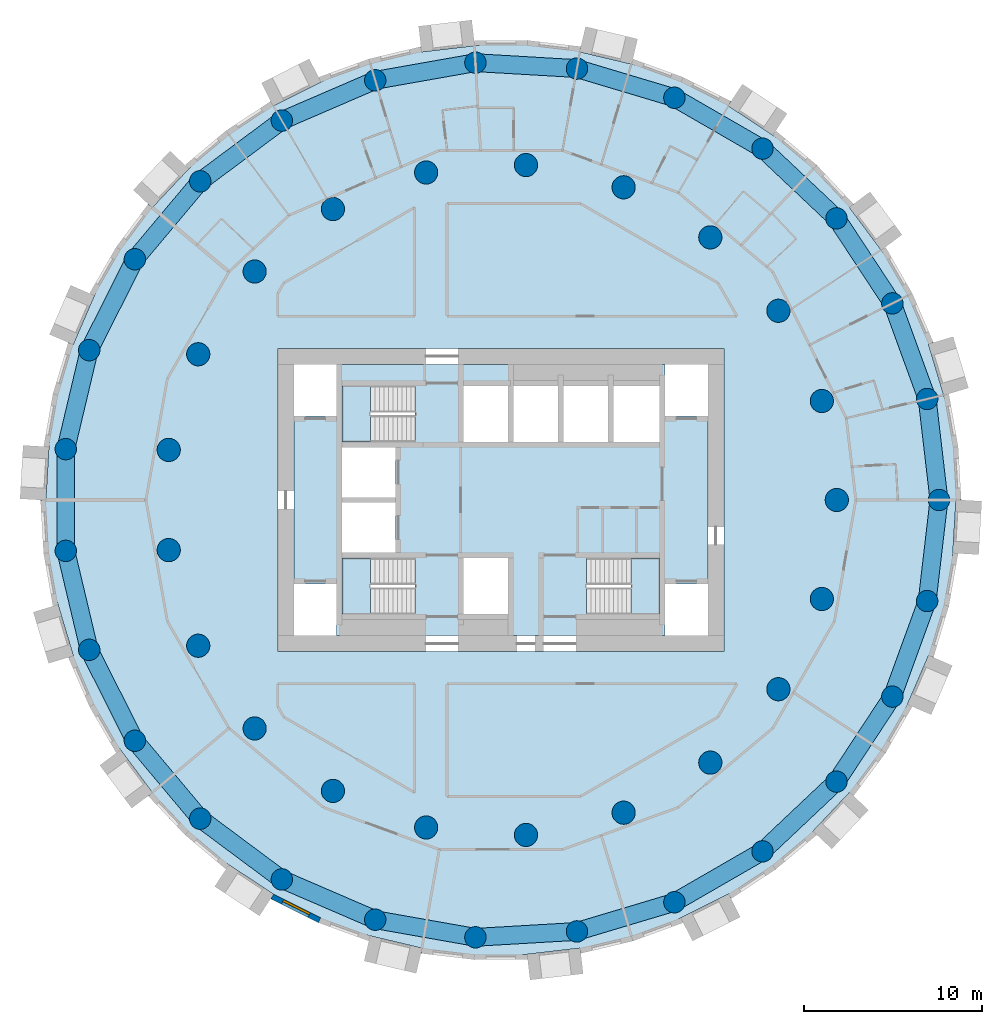
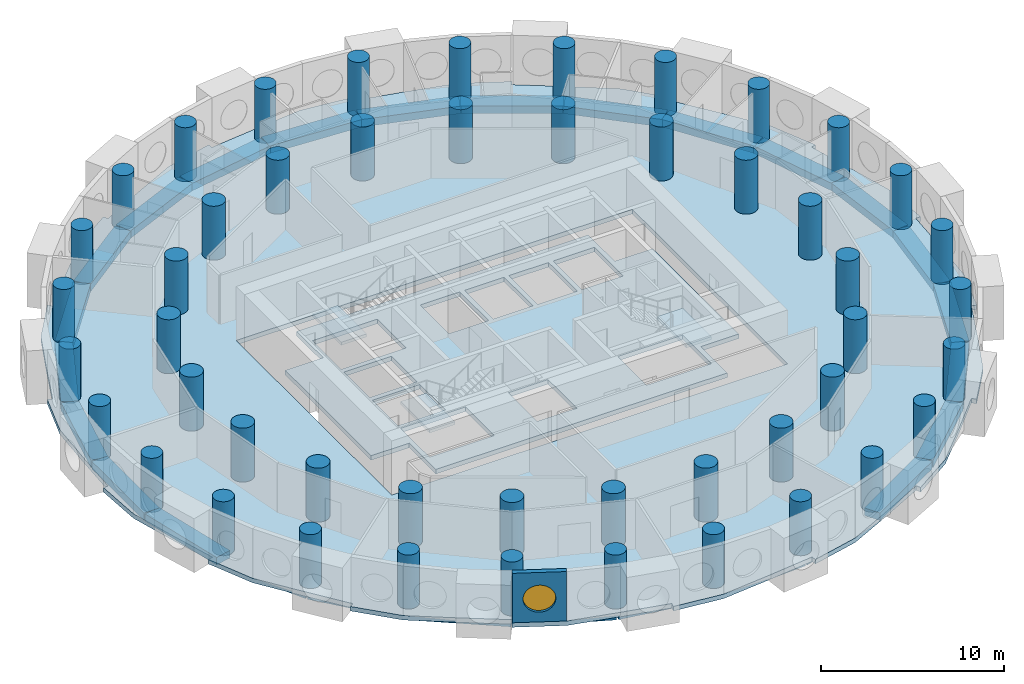
# One storey, part 1 of 10: 48 columns, 27 beams, 5 slabs, 1 wall, 1 window, 1 opening, 3 elements without a shape of their own.
"""IFC4 building model written with IfcOpenShell, lengths in metres."""

import ifcopenshell
import ifcopenshell.guid

model = None  # the IFC model being written
_history = None  # IfcOwnerHistory: only IFC2X3 demands one
_inside = {}  # id of a spatial element -> (the spatial element, [elements in it])
_under = {}  # id of a project, library or spatial element -> (it, [spatial elements below it])
_declared = {}  # id of a project -> (the project, [libraries it declares])
_typed = {}  # id of a type object -> (the type object, [elements of that type])
_made_of = {}  # id of a material, layer set ... -> (it, [elements and type objects made of it])


def new_model(schema):
    """Start an empty IFC model of exactly this schema.

    Asked for "IFC4X3", IfcOpenShell would pick the latest addendum, in which some entities
    have other attributes; the version numbers below select the first issue.
    IFC2X3 requires an IfcOwnerHistory on every rooted entity: one is made here for all.
    """
    global model, _history
    if schema == "IFC4X3":
        model = ifcopenshell.file(schema_version=(4, 3, 0, 0))
    else:
        model = ifcopenshell.file(schema=schema)
    _inside.clear()
    _under.clear()
    _declared.clear()
    _typed.clear()
    _made_of.clear()
    _history = None
    if model.schema == "IFC2X3":
        org = make("IfcOrganization", Name="unknown")
        user = make(
            "IfcPersonAndOrganization",
            ThePerson=make("IfcPerson", FamilyName="unknown"),
            TheOrganization=org,
        )
        app = make(
            "IfcApplication",
            ApplicationDeveloper=org,
            Version="unknown",
            ApplicationFullName="unknown",
            ApplicationIdentifier="unknown",
        )
        _history = make(
            "IfcOwnerHistory",
            OwningUser=user,
            OwningApplication=app,
            ChangeAction="ADDED",
            CreationDate=0,
        )
    return model


def make(cls, **values):
    """One entity of the class cls with the attributes given. An attribute that is None is left unset."""
    return model.create_entity(
        cls, **{name: value for name, value in values.items() if value is not None}
    )


def rooted(cls, **values):
    """An entity with a GlobalId (a new one), such as an element, a storey or a relation."""
    return make(cls, GlobalId=ifcopenshell.guid.new(), OwnerHistory=_history, **values)


def si_unit(unit_type, name, prefix=None):
    """IfcSIUnit, for example si_unit("LENGTHUNIT", "METRE", prefix="MILLI")."""
    return make("IfcSIUnit", UnitType=unit_type, Prefix=prefix, Name=name)


def assignment(units):
    """IfcUnitAssignment: the units of a project."""
    return None if units is None else make("IfcUnitAssignment", Units=units)


def point(xyz):
    """IfcCartesianPoint."""
    return None if xyz is None else make("IfcCartesianPoint", Coordinates=xyz)


def direction(xyz):
    """IfcDirection."""
    return None if xyz is None else make("IfcDirection", DirectionRatios=xyz)


def frame(location, z_axis=None, x_axis=None):
    """IfcAxis2Placement3D, a coordinate frame: its origin and axes. An axis left out is left unset."""
    return make(
        "IfcAxis2Placement3D",
        Location=point(location),
        Axis=direction(z_axis),
        RefDirection=direction(x_axis),
    )


def frame_2d(location, x_axis=None):
    """IfcAxis2Placement2D, a coordinate frame in the plane: its origin and x axis."""
    return make(
        "IfcAxis2Placement2D", Location=point(location), RefDirection=direction(x_axis)
    )


def origin():
    """The frame at (0, 0, 0) with its axes left unset."""
    return frame((0.0, 0.0, 0.0))


def origin_2d():
    """The frame at (0, 0) in the plane with its x axis left unset."""
    return frame_2d((0.0, 0.0))


def place(relative_to, where):
    """IfcLocalPlacement: puts the frame where relative to a parent placement (None: the world)."""
    return make(
        "IfcLocalPlacement", PlacementRelTo=relative_to, RelativePlacement=where
    )


def context(
    kind, dimensions, precision=None, world=None, true_north=None, identifier=None
):
    """IfcGeometricRepresentationContext, for example the 3D "Model" context."""
    return make(
        "IfcGeometricRepresentationContext",
        ContextIdentifier=identifier,
        ContextType=kind,
        CoordinateSpaceDimension=dimensions,
        Precision=precision,
        WorldCoordinateSystem=world,
        TrueNorth=true_north,
    )


def subcontext(parent, identifier, kind, view, scale=None):
    """IfcGeometricRepresentationSubContext, for example "Body" below "Model"."""
    return make(
        "IfcGeometricRepresentationSubContext",
        ContextIdentifier=identifier,
        ContextType=kind,
        ParentContext=parent,
        TargetScale=scale,
        TargetView=view,
    )


def project(units=None, contexts=None):
    """IfcProject with its units and contexts."""
    return rooted(
        "IfcProject",
        Name="project",
        RepresentationContexts=contexts,
        UnitsInContext=assignment(units),
    )


def spatial(cls, under=None, at=None, **own):
    """A site, building, storey or space (cls), placed at a placement, below another one or the project."""
    s = rooted(cls, ObjectPlacement=at, **own)
    if under is not None:
        _under.setdefault(under.id(), (under, []))[1].append(s)
    return s


def polyline(points):
    """IfcPolyline through the points."""
    return make("IfcPolyline", Points=[point(p) for p in points])


def profile(cls, at=None, kind="AREA", **sizes):
    """A parametric profile (cls). Its sizes go by their IFC names, for example OverallWidth=200.0."""
    return make(cls, ProfileType=kind, Position=at, **sizes)


def rectangle(**sizes):
    """IfcRectangleProfileDef."""
    return profile("IfcRectangleProfileDef", **sizes)


def circle(**sizes):
    """IfcCircleProfileDef."""
    return profile("IfcCircleProfileDef", **sizes)


def outline(outer, holes=None, kind="AREA"):
    """IfcArbitraryClosedProfileDef: a profile drawn as a closed curve; with holes, ...WithVoids."""
    if holes is None:
        return make("IfcArbitraryClosedProfileDef", ProfileType=kind, OuterCurve=outer)
    return make(
        "IfcArbitraryProfileDefWithVoids",
        ProfileType=kind,
        OuterCurve=outer,
        InnerCurves=holes,
    )


def extrude(swept, where, along, depth):
    """IfcExtrudedAreaSolid: the profile swept, set in the frame where, extruded along a direction by depth."""
    return make(
        "IfcExtrudedAreaSolid",
        SweptArea=swept,
        Position=where,
        ExtrudedDirection=direction(along),
        Depth=depth,
    )


def shape(context_of_items, identifier, shape_type, items):
    """IfcShapeRepresentation: the items that make up one representation, for example the "Body"."""
    return make(
        "IfcShapeRepresentation",
        ContextOfItems=context_of_items,
        RepresentationIdentifier=identifier,
        RepresentationType=shape_type,
        Items=items,
    )


def material(Name=None, Category=None):
    """IfcMaterial."""
    return make("IfcMaterial", Name=Name, Category=Category)


def layer(
    of_material, thickness, ventilated=None, Name=None, Category=None, Priority=None
):
    """IfcMaterialLayer: one layer of a wall or slab, of a material (None: an air gap)."""
    return make(
        "IfcMaterialLayer",
        Material=of_material,
        LayerThickness=thickness,
        IsVentilated=ventilated,
        Name=Name,
        Category=Category,
        Priority=Priority,
    )


def layer_set(layers, Name=None):
    """IfcMaterialLayerSet."""
    return make("IfcMaterialLayerSet", MaterialLayers=layers, LayerSetName=Name)


def material_profile(
    of_material, cross_section, Name=None, Category=None, Priority=None
):
    """IfcMaterialProfile: a cross section and its material."""
    return make(
        "IfcMaterialProfile",
        Name=Name,
        Material=of_material,
        Profile=cross_section,
        Priority=Priority,
        Category=Category,
    )


def profile_set(profiles, Name=None, composite=None):
    """IfcMaterialProfileSet."""
    return make(
        "IfcMaterialProfileSet",
        Name=Name,
        MaterialProfiles=profiles,
        CompositeProfile=composite,
    )


def made_of(thing, what):
    """Note that an element or type object is made of a material, layer set ...; save() writes the relation."""
    if what is not None:
        _made_of.setdefault(what.id(), (what, []))[1].append(thing)
    return thing


def type_object(cls, material=None, **own):
    """A type object (cls), such as IfcWallType, which elements share."""
    return made_of(rooted(cls, **own), material)


def element(
    cls,
    number,
    at=None,
    inside=None,
    cuts=None,
    type_object=None,
    material=None,
    context=None,
    identifier="Body",
    shape_type=None,
    held_by="IfcProductDefinitionShape",
    body=None,
    shapes=None,
    **own,
):
    """One element of the class cls, such as IfcWall. Its Tag is "e" and its number.

    at: its placement. inside: the storey or other place that contains it. cuts: it is an
    opening in that element (IfcRelVoidsElement). A single representation is given by context,
    identifier, shape_type and body (its items); several are given by shapes. held_by: the class
    of the entity that holds the representations. save() writes the other relations.
    """
    e = rooted(cls, Tag="e%d" % number, ObjectPlacement=at, **own)
    if body is not None:
        shapes = [shape(context, identifier, shape_type, body)]
    if shapes is not None:
        e.Representation = make(held_by, Representations=shapes)
    if inside is not None:
        _inside.setdefault(inside.id(), (inside, []))[1].append(e)
    if cuts is not None:
        rooted(
            "IfcRelVoidsElement", RelatingBuildingElement=cuts, RelatedOpeningElement=e
        )
    if type_object is not None:
        _typed.setdefault(type_object.id(), (type_object, []))[1].append(e)
    return made_of(e, material)


def fill(opening, filler):
    """IfcRelFillsElement: the door or window that sits in an opening."""
    return rooted(
        "IfcRelFillsElement",
        RelatingOpeningElement=opening,
        RelatedBuildingElement=filler,
    )


def aggregate(whole, parts):
    """IfcRelAggregates: a whole, such as a stair, and the parts it consists of."""
    return rooted("IfcRelAggregates", RelatingObject=whole, RelatedObjects=parts)


def save(model, path):
    """Write the relations noted so far, then the file.

    IfcRelAggregates (storeys below a building ...), IfcRelContainedInSpatialStructure (elements
    in a storey), IfcRelDefinesByType, IfcRelAssociatesMaterial and IfcRelDeclares: one each for
    every whole, place, type object, material and project.
    """
    for whole, parts in _under.values():
        aggregate(whole, parts)
    for where, things in _inside.values():
        rooted(
            "IfcRelContainedInSpatialStructure",
            RelatedElements=things,
            RelatingStructure=where,
        )
    for kind, things in _typed.values():
        rooted("IfcRelDefinesByType", RelatedObjects=things, RelatingType=kind)
    for what, things in _made_of.values():
        rooted("IfcRelAssociatesMaterial", RelatedObjects=things, RelatingMaterial=what)
    for by, libraries in _declared.values():
        rooted("IfcRelDeclares", RelatingContext=by, RelatedDefinitions=libraries)
    model.write(path)


model = new_model("IFC4")

# Units and contexts
model_context = context("Model", 3, precision=1e-05, world=origin(), true_north=direction((0.0, 1.0)))
body_context = subcontext(model_context, "Body", "Model", "MODEL_VIEW")
ifc_project = project(units=[si_unit("LENGTHUNIT", "METRE"), si_unit("AREAUNIT", "SQUARE_METRE"), si_unit("VOLUMEUNIT", "CUBIC_METRE"), si_unit("PLANEANGLEUNIT", "RADIAN"), si_unit("MASSUNIT", "GRAM", prefix="KILO")], contexts=[model_context])

# Site, building, storey
site_placement = place(None, origin())
site = spatial("IfcSite", under=ifc_project, at=site_placement, CompositionType="ELEMENT")
building_placement = place(site_placement, origin())
building = spatial("IfcBuilding", under=site, at=building_placement, Name="Tracery Tower", CompositionType="ELEMENT")
storey_placement = place(building_placement, frame((0.0, 0.0, 129.60009765625)))
storey = spatial("IfcBuildingStorey", under=building, at=storey_placement, Name="L32", CompositionType="ELEMENT", Elevation=129.60009765625)

# Columns
ifc_material_1 = material(Name="Concrete C50/60", Category="concrete")
ifc_material_profile_1 = material_profile(ifc_material_1, circle(Radius=0.60009765625, at=origin_2d()), Name="RC D1200")
ifc_profile_set_1 = profile_set([ifc_material_profile_1], Name="Concrete C50/60")
column_type_1 = type_object("IfcColumnType", Name="Ring 1 column 1200", PredefinedType="COLUMN", material=ifc_profile_set_1)
for number, where, z_axis, x_axis, name in (
    (1, (24.547607421875, 0.0, 0.0), (0.0, 0.0, 1.0), (1.0, 0.0, 0.0), "Ring 1 column 00 at L32"),
    (2, (23.885986328125, 5.6611328125, 0.0), (0.0, 0.0, 1.0), (1.0, 0.0, 0.0), "Ring 1 column 01 at L32"),
    (3, (21.9365234375, 11.01708984375, 0.0), (0.0, 0.0, 1.0), (1.0, 0.0, 0.0), "Ring 1 column 02 at L32"),
    (4, (18.8046875, 15.779052734375, 0.0), (0.0, 0.0, 1.0), (1.0, 0.0, 0.0), "Ring 1 column 03 at L32"),
    (5, (14.658935546875, 19.690185546875, 0.0), (0.0, 0.0, 1.0), (1.0, 0.0, 0.0), "Ring 1 column 04 at L32"),
    (6, (9.722900390625, 22.5400390625, 0.0), (0.0, 0.0, 1.0), (1.0, 0.0, 0.0), "Ring 1 column 05 at L32"),
    (7, (4.2626953125, 24.1748046875, 0.0), (0.0, 0.0, 1.0), (1.0, 0.0, 0.0), "Ring 1 column 06 at L32"),
    (8, (-1.42724609375, 24.506103515625, 0.0), (0.0, 0.0, 1.0), (1.0, 0.0, 0.0), "Ring 1 column 07 at L32"),
    (9, (-7.040283203125, 23.516357421875, 0.0), (0.0, 0.0, 1.0), (1.0, 0.0, 0.0), "Ring 1 column 08 at L32"),
    (10, (-12.273681640625, 21.2587890625, 0.0), (0.0, 0.0, 1.0), (1.0, 0.0, 0.0), "Ring 1 column 09 at L32"),
    (11, (-16.845703125, 17.855224609375, 0.0), (0.0, 0.0, 1.0), (1.0, 0.0, 0.0), "Ring 1 column 10 at L32"),
    (12, (-20.50927734375, 13.4892578125, 0.0), (0.0, 0.0, 1.0), (1.0, 0.0, 0.0), "Ring 1 column 11 at L32"),
    (13, (-23.0673828125, 8.395751953125, 0.0), (0.0, 0.0, 1.0), (1.0, 0.0, 0.0), "Ring 1 column 12 at L32"),
    (14, (-24.381591796875, 2.849853515625, 0.0), (0.0, 0.0, 1.0), (1.0, 0.0, 0.0), "Ring 1 column 13 at L32"),
    (15, (-24.381591796875, -2.849853515625, 0.0), (0.0, 0.0, 1.0), (1.0, 0.0, 0.0), "Ring 1 column 14 at L32"),
    (16, (-23.0673828125, -8.395751953125, 0.0), (0.0, 0.0, 1.0), (1.0, 0.0, 0.0), "Ring 1 column 15 at L32"),
    (17, (-20.50927734375, -13.4892578125, 0.0), (0.0, 0.0, 1.0), (1.0, 0.0, 0.0), "Ring 1 column 16 at L32"),
    (18, (-16.845703125, -17.85546875, 0.0), (0.0, 0.0, 1.0), (1.0, 0.0, 0.0), "Ring 1 column 17 at L32"),
    (19, (-12.27392578125, -21.2587890625, 0.0), (0.0, 0.0, 1.0), (1.0, 0.0, 0.0), "Ring 1 column 18 at L32"),
    (20, (-7.040283203125, -23.516357421875, 0.0), (0.0, 0.0, 1.0), (1.0, 0.0, 0.0), "Ring 1 column 19 at L32"),
    (21, (-1.42724609375, -24.506103515625, 0.0), (0.0, 0.0, 1.0), (1.0, 0.0, 0.0), "Ring 1 column 20 at L32"),
    (22, (4.2626953125, -24.1748046875, 0.0), (0.0, 0.0, 1.0), (1.0, 0.0, 0.0), "Ring 1 column 21 at L32"),
    (23, (9.722900390625, -22.5400390625, 0.0), (0.0, 0.0, 1.0), (1.0, 0.0, 0.0), "Ring 1 column 22 at L32"),
    (24, (14.658935546875, -19.690185546875, 0.0), (0.0, 0.0, 1.0), (1.0, 0.0, 0.0), "Ring 1 column 23 at L32"),
    (25, (18.8046875, -15.779052734375, 0.0), (0.0, 0.0, 1.0), (1.0, 0.0, 0.0), "Ring 1 column 24 at L32"),
    (26, (21.9365234375, -11.01708984375, 0.0), (0.0, 0.0, 1.0), (1.0, 0.0, 0.0), "Ring 1 column 25 at L32"),
    (27, (23.885986328125, -5.6611328125, 0.0), (0.0, 0.0, 1.0), (1.0, 0.0, 0.0), "Ring 1 column 26 at L32"),
):
    element("IfcColumn", number, at=place(storey_placement, frame(where, z_axis=z_axis, x_axis=x_axis)), inside=storey, type_object=column_type_1, Name=name, PredefinedType="COLUMN", context=body_context, shape_type="SweptSolid", body=[
        extrude(circle(Radius=0.60009765625, at=origin_2d()), origin(), (0.0, 0.0, 1.0), 3.599853515625),
    ])
ifc_material_2 = material(Name="Concrete C50/60", Category="concrete")
ifc_material_profile_2 = material_profile(ifc_material_2, circle(Radius=0.64990234375, at=origin_2d()), Name="RC D1300")
ifc_profile_set_2 = profile_set([ifc_material_profile_2], Name="Concrete C50/60")
column_type_2 = type_object("IfcColumnType", Name="Ring 2 column 1300", PredefinedType="COLUMN", material=ifc_profile_set_2)
for number, where, z_axis, x_axis, name in (
    (28, (18.822265625, 0.0, 0.0), (0.0, 0.0, 1.0), (1.0, 0.0, 0.0), "Ring 2 column 00 at L32"),
    (29, (17.986083984375, 5.5478515625, 0.0), (0.0, 0.0, 1.0), (1.0, 0.0, 0.0), "Ring 2 column 01 at L32"),
    (30, (15.551513671875, 10.602783203125, 0.0), (0.0, 0.0, 1.0), (1.0, 0.0, 0.0), "Ring 2 column 02 at L32"),
    (31, (11.7353515625, 14.7158203125, 0.0), (0.0, 0.0, 1.0), (1.0, 0.0, 0.0), "Ring 2 column 03 at L32"),
    (32, (6.87646484375, 17.52099609375, 0.0), (0.0, 0.0, 1.0), (1.0, 0.0, 0.0), "Ring 2 column 04 at L32"),
    (33, (1.406494140625, 18.76953125, 0.0), (0.0, 0.0, 1.0), (1.0, 0.0, 0.0), "Ring 2 column 05 at L32"),
    (34, (-4.188232421875, 18.350341796875, 0.0), (0.0, 0.0, 1.0), (1.0, 0.0, 0.0), "Ring 2 column 06 at L32"),
    (35, (-9.4111328125, 16.300537109375, 0.0), (0.0, 0.0, 1.0), (1.0, 0.0, 0.0), "Ring 2 column 07 at L32"),
    (36, (-13.797607421875, 12.802490234375, 0.0), (0.0, 0.0, 1.0), (1.0, 0.0, 0.0), "Ring 2 column 08 at L32"),
    (37, (-16.958251953125, 8.16650390625, 0.0), (0.0, 0.0, 1.0), (1.0, 0.0, 0.0), "Ring 2 column 09 at L32"),
    (38, (-18.612060546875, 2.805419921875, 0.0), (0.0, 0.0, 1.0), (1.0, 0.0, 0.0), "Ring 2 column 10 at L32"),
    (39, (-18.612060546875, -2.805419921875, 0.0), (0.0, 0.0, 1.0), (1.0, 0.0, 0.0), "Ring 2 column 11 at L32"),
    (40, (-16.958251953125, -8.166748046875, 0.0), (0.0, 0.0, 1.0), (1.0, 0.0, 0.0), "Ring 2 column 12 at L32"),
    (41, (-13.797607421875, -12.80224609375, 0.0), (0.0, 0.0, 1.0), (1.0, 0.0, 0.0), "Ring 2 column 13 at L32"),
    (42, (-9.4111328125, -16.300537109375, 0.0), (0.0, 0.0, 1.0), (1.0, 0.0, 0.0), "Ring 2 column 14 at L32"),
    (43, (-4.188232421875, -18.350341796875, 0.0), (0.0, 0.0, 1.0), (1.0, 0.0, 0.0), "Ring 2 column 15 at L32"),
    (44, (1.406494140625, -18.76953125, 0.0), (0.0, 0.0, 1.0), (1.0, 0.0, 0.0), "Ring 2 column 16 at L32"),
    (45, (6.87646484375, -17.52099609375, 0.0), (0.0, 0.0, 1.0), (1.0, 0.0, 0.0), "Ring 2 column 17 at L32"),
    (46, (11.7353515625, -14.7158203125, 0.0), (0.0, 0.0, 1.0), (1.0, 0.0, 0.0), "Ring 2 column 18 at L32"),
    (47, (15.551513671875, -10.602783203125, 0.0), (0.0, 0.0, 1.0), (1.0, 0.0, 0.0), "Ring 2 column 19 at L32"),
    (48, (17.986083984375, -5.5478515625, 0.0), (0.0, 0.0, 1.0), (1.0, 0.0, 0.0), "Ring 2 column 20 at L32"),
):
    element("IfcColumn", number, at=place(storey_placement, frame(where, z_axis=z_axis, x_axis=x_axis)), inside=storey, type_object=column_type_2, Name=name, PredefinedType="COLUMN", context=body_context, shape_type="SweptSolid", body=[
        extrude(circle(Radius=0.64990234375, at=origin_2d()), origin(), (0.0, 0.0, 1.0), 3.599853515625),
    ])

# Beams
ifc_material_3 = material(Name="Concrete C50/60", Category="concrete")
ifc_material_profile_3 = material_profile(ifc_material_3, rectangle(XDim=1.0, YDim=0.5, at=origin_2d()), Name="RC 1000x500")
ifc_profile_set_3 = profile_set([ifc_material_profile_3], Name="Concrete C50/60")
beam_type = type_object("IfcBeamType", Name="Perimeter band beam 1000x500", PredefinedType="BEAM", material=ifc_profile_set_3)
for number, where, z_axis, x_axis, name in (
    (49, (24.547607421875, 0.0, -0.550048828125), (-0.116080723252, 0.993239782575, 0.0), (-0.993239782575, -0.116080723252, 0.0), "Perimeter beam 1.00 under L32"),
    (50, (23.885986328125, 5.6611328125, -0.550048828125), (-0.342028502279, 0.939689578334, 0.0), (-0.939689578334, -0.342028502279, 0.0), "Perimeter beam 1.01 under L32"),
):
    element("IfcBeam", number, at=place(storey_placement, frame(where, z_axis=z_axis, x_axis=x_axis)), inside=storey, type_object=beam_type, Name=name, PredefinedType="BEAM", context=body_context, shape_type="SweptSolid", body=[
        extrude(rectangle(XDim=1.0, YDim=0.5, at=origin_2d()), origin(), (0.0, 0.0, 1.0), 5.69970703125),
    ])
for number, where, z_axis, x_axis, name in (
    (51, (21.9365234375, 11.01708984375, -0.550048828125), (-0.549489832182, 0.835500403548, 0.0), (-0.835500403548, -0.549489832182, 0.0), "Perimeter beam 1.02 under L32"),
    (52, (18.8046875, 15.779052734375, -0.550048828125), (-0.727389618263, 0.686224703172, 0.0), (-0.686224703172, -0.727389618263, 0.0), "Perimeter beam 1.03 under L32"),
):
    element("IfcBeam", number, at=place(storey_placement, frame(where, z_axis=z_axis, x_axis=x_axis)), inside=storey, type_object=beam_type, Name=name, PredefinedType="BEAM", context=body_context, shape_type="SweptSolid", body=[
        extrude(rectangle(XDim=1.0, YDim=0.5, at=origin_2d()), origin(), (0.0, 0.0, 1.0), 5.699462890625),
    ])
for number, where, z_axis, x_axis, name in (
    (53, (14.658935546875, 19.690185546875, -0.550048828125), (-0.866022950691, 0.500004248858, 0.0), (-0.500004248858, -0.866022950691, 0.0), "Perimeter beam 1.04 under L32"),
    (54, (9.722900390625, 22.5400390625, -0.550048828125), (-0.957985292634, 0.28681732705, 0.0), (-0.28681732705, -0.957985292634, 0.0), "Perimeter beam 1.05 under L32"),
):
    element("IfcBeam", number, at=place(storey_placement, frame(where, z_axis=z_axis, x_axis=x_axis)), inside=storey, type_object=beam_type, Name=name, PredefinedType="BEAM", context=body_context, shape_type="SweptSolid", body=[
        extrude(rectangle(XDim=1.0, YDim=0.5, at=origin_2d()), origin(), (0.0, 0.0, 1.0), 5.69970703125),
    ])
beam_1_placement = place(storey_placement, frame((4.2626953125, 24.1748046875, -0.550048828125), z_axis=(-0.99830920221, 0.058126902403, 0.0), x_axis=(-0.058126902403, -0.99830920221, 0.0)))
element("IfcBeam", 55, at=beam_1_placement, inside=storey, type_object=beam_type, Name="Perimeter beam 1.06 under L32", PredefinedType="BEAM", context=body_context, shape_type="SweptSolid", body=[
    extrude(rectangle(XDim=1.0, YDim=0.5, at=origin_2d()), origin(), (0.0, 0.0, 1.0), 5.699462890625),
])
beam_2_placement = place(storey_placement, frame((-1.42724609375, 24.506103515625, -0.550048828125), z_axis=(-0.984807266719, -0.173650935552, 0.0), x_axis=(0.173650935552, -0.984807266719, 0.0)))
element("IfcBeam", 56, at=beam_2_placement, inside=storey, type_object=beam_type, Name="Perimeter beam 1.07 under L32", PredefinedType="BEAM", context=body_context, shape_type="SweptSolid", body=[
    extrude(rectangle(XDim=1.0, YDim=0.5, at=origin_2d()), origin(), (0.0, 0.0, 1.0), 5.69970703125),
])
beam_3_placement = place(storey_placement, frame((-7.040283203125, 23.516357421875, -0.550048828125), z_axis=(-0.918209685525, -0.396094652083, 0.0), x_axis=(0.396094652083, -0.918209685525, 0.0)))
element("IfcBeam", 57, at=beam_3_placement, inside=storey, type_object=beam_type, Name="Perimeter beam 1.08 under L32", PredefinedType="BEAM", context=body_context, shape_type="SweptSolid", body=[
    extrude(rectangle(XDim=1.0, YDim=0.5, at=origin_2d()), origin(), (0.0, 0.0, 1.0), 5.699462890625),
])
beam_4_placement = place(storey_placement, frame((-12.273681640625, 21.2587890625, -0.550048828125), z_axis=(-0.802138271299, -0.59713833717, 0.0), x_axis=(0.59713833717, -0.802138271299, 0.0)))
element("IfcBeam", 58, at=beam_4_placement, inside=storey, type_object=beam_type, Name="Perimeter beam 1.09 under L32", PredefinedType="BEAM", context=body_context, shape_type="SweptSolid", body=[
    extrude(rectangle(XDim=1.0, YDim=0.5, at=origin_2d()), origin(), (0.0, 0.0, 1.0), 5.69970703125),
])
beam_5_placement = place(storey_placement, frame((-16.845703125, 17.855224609375, -0.550048828125), z_axis=(-0.642797194343, -0.766036400535, 0.0), x_axis=(0.766036400535, -0.642797194343, 0.0)))
element("IfcBeam", 59, at=beam_5_placement, inside=storey, type_object=beam_type, Name="Perimeter beam 1.10 under L32", PredefinedType="BEAM", context=body_context, shape_type="SweptSolid", body=[
    extrude(rectangle(XDim=1.0, YDim=0.5, at=origin_2d()), origin(), (0.0, 0.0, 1.0), 5.699462890625),
])
beam_6_placement = place(storey_placement, frame((-20.50927734375, 13.4892578125, -0.550048828125), z_axis=(-0.448806280933, -0.893629074166, 0.0), x_axis=(0.893629074166, -0.448806280933, 0.0)))
element("IfcBeam", 60, at=beam_6_placement, inside=storey, type_object=beam_type, Name="Perimeter beam 1.11 under L32", PredefinedType="BEAM", context=body_context, shape_type="SweptSolid", body=[
    extrude(rectangle(XDim=1.0, YDim=0.5, at=origin_2d()), origin(), (0.0, 0.0, 1.0), 5.69970703125),
])
beam_7_placement = place(storey_placement, frame((-23.0673828125, 8.395751953125, -0.550048828125), z_axis=(-0.230583793756, -0.973052472407, 0.0), x_axis=(0.973052472407, -0.230583793756, 0.0)))
element("IfcBeam", 61, at=beam_7_placement, inside=storey, type_object=beam_type, Name="Perimeter beam 1.12 under L32", PredefinedType="BEAM", context=body_context, shape_type="SweptSolid", body=[
    extrude(rectangle(XDim=1.0, YDim=0.5, at=origin_2d()), origin(), (0.0, 0.0, 1.0), 5.699462890625),
])
beam_8_placement = place(storey_placement, frame((-24.381591796875, 2.849853515625, -0.550048828125), z_axis=(0.0, -1.0, 0.0), x_axis=(1.0, 0.0, 0.0)))
element("IfcBeam", 62, at=beam_8_placement, inside=storey, type_object=beam_type, Name="Perimeter beam 1.13 under L32", PredefinedType="BEAM", context=body_context, shape_type="SweptSolid", body=[
    extrude(rectangle(XDim=1.0, YDim=0.5, at=origin_2d()), origin(), (0.0, 0.0, 1.0), 5.69970703125),
])
beam_9_placement = place(storey_placement, frame((-24.381591796875, -2.849853515625, -0.550048828125), z_axis=(0.230583793756, -0.973052472407, 0.0), x_axis=(0.973052472407, 0.230583793756, 0.0)))
element("IfcBeam", 63, at=beam_9_placement, inside=storey, type_object=beam_type, Name="Perimeter beam 1.14 under L32", PredefinedType="BEAM", context=body_context, shape_type="SweptSolid", body=[
    extrude(rectangle(XDim=1.0, YDim=0.5, at=origin_2d()), origin(), (0.0, 0.0, 1.0), 5.699462890625),
])
for number, where, z_axis, x_axis, name in (
    (64, (-23.0673828125, -8.395751953125, -0.550048828125), (0.448806280933, -0.893629074166, 0.0), (0.893629074166, 0.448806280933, 0.0), "Perimeter beam 1.15 under L32"),
    (65, (-20.50927734375, -13.4892578125, -0.550048828125), (0.64277610208, -0.766054099, 0.0), (0.766054099, 0.64277610208, 0.0), "Perimeter beam 1.16 under L32"),
):
    element("IfcBeam", number, at=place(storey_placement, frame(where, z_axis=z_axis, x_axis=x_axis)), inside=storey, type_object=beam_type, Name=name, PredefinedType="BEAM", context=body_context, shape_type="SweptSolid", body=[
        extrude(rectangle(XDim=1.0, YDim=0.5, at=origin_2d()), origin(), (0.0, 0.0, 1.0), 5.69970703125),
    ])
beam_10_placement = place(storey_placement, frame((-16.845703125, -17.85546875, -0.550048828125), z_axis=(0.802143514942, -0.597131293298, 0.0), x_axis=(0.597131293298, 0.802143514942, 0.0)))
element("IfcBeam", 66, at=beam_10_placement, inside=storey, type_object=beam_type, Name="Perimeter beam 1.17 under L32", PredefinedType="BEAM", context=body_context, shape_type="SweptSolid", body=[
    extrude(rectangle(XDim=1.0, YDim=0.5, at=origin_2d()), origin(), (0.0, 0.0, 1.0), 5.699462890625),
])
for number, where, z_axis, x_axis, name in (
    (67, (-12.27392578125, -21.2587890625, -0.550048828125), (0.918216405543, -0.39607907366, 0.0), (0.39607907366, 0.918216405543, 0.0), "Perimeter beam 1.18 under L32"),
    (68, (-7.040283203125, -23.516357421875, -0.550048828125), (0.984807266719, -0.173650935552, 0.0), (0.173650935552, 0.984807266719, 0.0), "Perimeter beam 1.19 under L32"),
):
    element("IfcBeam", number, at=place(storey_placement, frame(where, z_axis=z_axis, x_axis=x_axis)), inside=storey, type_object=beam_type, Name=name, PredefinedType="BEAM", context=body_context, shape_type="SweptSolid", body=[
        extrude(rectangle(XDim=1.0, YDim=0.5, at=origin_2d()), origin(), (0.0, 0.0, 1.0), 5.69970703125),
    ])
beam_11_placement = place(storey_placement, frame((-1.42724609375, -24.506103515625, -0.550048828125), z_axis=(0.99830920221, 0.058126902403, 0.0), x_axis=(-0.058126902403, 0.99830920221, 0.0)))
element("IfcBeam", 69, at=beam_11_placement, inside=storey, type_object=beam_type, Name="Perimeter beam 1.20 under L32", PredefinedType="BEAM", context=body_context, shape_type="SweptSolid", body=[
    extrude(rectangle(XDim=1.0, YDim=0.5, at=origin_2d()), origin(), (0.0, 0.0, 1.0), 5.699462890625),
])
for number, where, z_axis, x_axis, name in (
    (70, (4.2626953125, -24.1748046875, -0.550048828125), (0.957985292634, 0.28681732705, 0.0), (-0.28681732705, 0.957985292634, 0.0), "Perimeter beam 1.21 under L32"),
    (71, (9.722900390625, -22.5400390625, -0.550048828125), (0.866022950691, 0.500004248858, 0.0), (-0.500004248858, 0.866022950691, 0.0), "Perimeter beam 1.22 under L32"),
):
    element("IfcBeam", number, at=place(storey_placement, frame(where, z_axis=z_axis, x_axis=x_axis)), inside=storey, type_object=beam_type, Name=name, PredefinedType="BEAM", context=body_context, shape_type="SweptSolid", body=[
        extrude(rectangle(XDim=1.0, YDim=0.5, at=origin_2d()), origin(), (0.0, 0.0, 1.0), 5.69970703125),
    ])
for number, where, z_axis, x_axis, name in (
    (72, (14.658935546875, -19.690185546875, -0.550048828125), (0.727389618263, 0.686224703172, 0.0), (-0.686224703172, 0.727389618263, 0.0), "Perimeter beam 1.23 under L32"),
    (73, (18.8046875, -15.779052734375, -0.550048828125), (0.549489832182, 0.835500403548, 0.0), (-0.835500403548, 0.549489832182, 0.0), "Perimeter beam 1.24 under L32"),
):
    element("IfcBeam", number, at=place(storey_placement, frame(where, z_axis=z_axis, x_axis=x_axis)), inside=storey, type_object=beam_type, Name=name, PredefinedType="BEAM", context=body_context, shape_type="SweptSolid", body=[
        extrude(rectangle(XDim=1.0, YDim=0.5, at=origin_2d()), origin(), (0.0, 0.0, 1.0), 5.699462890625),
    ])
for number, where, z_axis, x_axis, name in (
    (74, (21.9365234375, -11.01708984375, -0.550048828125), (0.342028502279, 0.939689578334, 0.0), (-0.939689578334, 0.342028502279, 0.0), "Perimeter beam 1.25 under L32"),
    (75, (23.885986328125, -5.6611328125, -0.550048828125), (0.116080723252, 0.993239782575, 0.0), (-0.993239782575, 0.116080723252, 0.0), "Perimeter beam 1.26 under L32"),
):
    element("IfcBeam", number, at=place(storey_placement, frame(where, z_axis=z_axis, x_axis=x_axis)), inside=storey, type_object=beam_type, Name=name, PredefinedType="BEAM", context=body_context, shape_type="SweptSolid", body=[
        extrude(rectangle(XDim=1.0, YDim=0.5, at=origin_2d()), origin(), (0.0, 0.0, 1.0), 5.69970703125),
    ])

# Slabs
ifc_material_4 = material(Name="Concrete C50/60", Category="concrete")
ifc_layer_1 = layer(ifc_material_4, 0.300048828125)
ifc_layer_set_1 = layer_set([ifc_layer_1], Name="Core floor slab 300 C50")
slab_type_1 = type_object("IfcSlabType", Name="Core floor slab 300 C50", PredefinedType="FLOOR", material=ifc_layer_set_1)
slab_1_placement = place(storey_placement, frame((0.0, 0.0, -0.300048828125)))
element("IfcSlab", 76, at=slab_1_placement, inside=storey, type_object=slab_type_1, Name="L32 core floor 1", PredefinedType="FLOOR", context=body_context, shape_type="SweptSolid", body=[
    extrude(outline(polyline([(-9.199951171875, 7.60009765625), (9.199951171875, 7.60009765625), (9.199951171875, 4.699951171875), (11.60009765625, 4.699951171875), (11.60009765625, -4.699951171875), (9.199951171875, -4.699951171875), (9.199951171875, -7.60009765625), (-9.199951171875, -7.60009765625), (-9.199951171875, -4.699951171875), (-11.60009765625, -4.699951171875), (-11.60009765625, 4.699951171875), (-9.199951171875, 4.699951171875), (-9.199951171875, 7.60009765625)]), holes=[polyline([(4.800537109375, -6.39990234375), (8.89990234375, -6.39990234375), (8.89990234375, -3.25), (4.800537109375, -3.25), (4.800537109375, -6.39990234375)]), polyline([(8.89990234375, 3.25), (8.89990234375, 6.39990234375), (6.300048828125, 6.39990234375), (6.300048828125, 3.25), (8.89990234375, 3.25)]), polyline([(6.0, 3.25), (6.0, 6.39990234375), (3.5, 6.39990234375), (3.5, 3.25), (6.0, 3.25)]), polyline([(3.199951171875, 3.25), (3.199951171875, 6.39990234375), (0.699951171875, 6.39990234375), (0.699951171875, 3.25), (3.199951171875, 3.25)]), polyline([(-2.10009765625, 3.25), (0.39990234375, 3.25), (0.39990234375, 6.39990234375), (-2.10009765625, 6.39990234375), (-2.10009765625, 3.25)]), polyline([(0.39990234375, -6.39990234375), (0.39990234375, -3.25), (-2.10009765625, -3.25), (-2.10009765625, -6.39990234375), (0.39990234375, -6.39990234375)]), polyline([(-4.800537109375, -3.25), (-8.89990234375, -3.25), (-8.89990234375, -6.39990234375), (-4.800537109375, -6.39990234375), (-4.800537109375, -3.25)]), polyline([(-4.800537109375, 6.39990234375), (-8.89990234375, 6.39990234375), (-8.89990234375, 3.25), (-4.800537109375, 3.25), (-4.800537109375, 6.39990234375)]), polyline([(-5.89990234375, -2.949951171875), (-5.89990234375, -0.14990234375), (-8.89990234375, -0.14990234375), (-8.89990234375, -2.949951171875), (-5.89990234375, -2.949951171875)]), polyline([(-5.89990234375, 0.14990234375), (-5.89990234375, 2.949951171875), (-8.89990234375, 2.949951171875), (-8.89990234375, 0.14990234375), (-5.89990234375, 0.14990234375)])]), origin(), (0.0, 0.0, 1.0), 0.300048828125),
])
ifc_material_5 = material(Name="Concrete C40/50", Category="concrete")
ifc_layer_2 = layer(ifc_material_5, 0.300048828125)
ifc_layer_set_2 = layer_set([ifc_layer_2], Name="Floor slab 300")
slab_type_2 = type_object("IfcSlabType", Name="Floor slab 300", PredefinedType="FLOOR", material=ifc_layer_set_2)
slab_2_placement = place(storey_placement, frame((0.0, 0.0, -0.300048828125)))
element("IfcSlab", 77, at=slab_2_placement, inside=storey, type_object=slab_type_2, Name="Floor slab L32", PredefinedType="FLOOR", context=body_context, shape_type="SweptSolid", body=[
    extrude(outline(polyline([(24.809814453125, 5.8798828125), (24.694580078125, 6.265380859375), (23.95947265625, 8.720703125), (23.95947265625, 8.720703125), (23.95458984375, 8.7373046875), (24.241943359375, 8.8232421875), (23.0537109375, 11.577880859375), (21.302490234375, 14.010986328125), (20.657958984375, 14.876953125), (19.521484375, 16.4033203125), (19.76220703125, 16.58251953125), (17.70361328125, 18.7646484375), (15.227294921875, 20.450927734375), (13.4443359375, 21.623779296875), (12.74853515625, 22.081298828125), (12.74853515625, 22.081298828125), (12.73388671875, 22.0908203125), (12.89892578125, 22.341552734375), (10.218017578125, 23.68798828125), (7.312744140625, 24.426025390625), (4.427490234375, 25.10986328125), (4.427490234375, 25.10986328125), (4.410400390625, 25.114013671875), (4.4794921875, 25.4052734375), (4.479736328125, 25.40576171875), (1.5, 25.754150390625), (-1.47998046875, 25.454345703125), (-3.055908203125, 25.27001953125), (-4.427490234375, 25.10986328125), (-4.427490234375, 25.10986328125), (-4.44482421875, 25.10791015625), (-4.479736328125, 25.40576171875), (-7.39892578125, 24.7138671875), (-10.098876953125, 23.411865234375), (-12.74853515625, 22.081298828125), (-12.74853515625, 22.081298828125), (-12.76416015625, 22.073486328125), (-12.89892578125, 22.341552734375), (-15.4052734375, 20.69287109375), (-17.497314453125, 18.5458984375), (-18.208740234375, 17.791748046875), (-19.5439453125, 16.376708984375), (-19.76171875, 16.581787109375), (-19.76220703125, 16.58251953125), (-21.5537109375, 14.176025390625), (-22.78515625, 11.443115234375), (-23.95947265625, 8.720703125), (-23.95947265625, 8.720703125), (-23.96630859375, 8.70458984375), (-24.241455078125, 8.822998046875), (-24.241943359375, 8.8232421875), (-25.102294921875, 5.949462890625), (-25.32470703125, 2.96044921875), (-25.498291015625, -0.017333984375), (-25.797607421875, 0.0), (-25.797607421875, 0.0), (-25.623291015625, -2.994873046875), (-24.809814453125, -5.8798828125), (-24.694580078125, -6.265380859375), (-23.95947265625, -8.720703125), (-23.95947265625, -8.720703125), (-23.95458984375, -8.7373046875), (-24.241943359375, -8.8232421875), (-23.0537109375, -11.577880859375), (-21.302490234375, -14.010986328125), (-20.657958984375, -14.876953125), (-19.521484375, -16.4033203125), (-19.76220703125, -16.58251953125), (-17.70361328125, -18.7646484375), (-15.227294921875, -20.450927734375), (-13.4443359375, -21.623779296875), (-12.74853515625, -22.081298828125), (-12.74853515625, -22.081298828125), (-12.73388671875, -22.0908203125), (-12.89892578125, -22.341552734375), (-10.218017578125, -23.68798828125), (-7.312744140625, -24.426025390625), (-4.427490234375, -25.10986328125), (-4.427490234375, -25.10986328125), (-4.410400390625, -25.114013671875), (-4.4794921875, -25.4052734375), (-4.479736328125, -25.40576171875), (-1.5, -25.754150390625), (1.47998046875, -25.454345703125), (3.055908203125, -25.27001953125), (4.427490234375, -25.10986328125), (4.427490234375, -25.10986328125), (4.44482421875, -25.10791015625), (4.479736328125, -25.40576171875), (7.39892578125, -24.7138671875), (10.098876953125, -23.411865234375), (12.74853515625, -22.081298828125), (12.74853515625, -22.081298828125), (12.76416015625, -22.073486328125), (12.898681640625, -22.341064453125), (12.89892578125, -22.341552734375), (15.4052734375, -20.69287109375), (17.497314453125, -18.5458984375), (18.208740234375, -17.791748046875), (19.5439453125, -16.376708984375), (19.76171875, -16.581787109375), (19.76220703125, -16.58251953125), (21.5537109375, -14.176025390625), (22.78515625, -11.443115234375), (23.95947265625, -8.720703125), (23.95947265625, -8.720703125), (23.96630859375, -8.70458984375), (24.241455078125, -8.822998046875), (24.241943359375, -8.8232421875), (25.102294921875, -5.949462890625), (25.32470703125, -2.96044921875), (25.498291015625, 0.017333984375), (25.797607421875, 0.0), (25.623291015625, 2.994873046875), (24.809814453125, 5.8798828125)]), holes=[polyline([(-12.5, -8.5), (12.5, -8.5), (12.5, 8.5), (-12.5, 8.5), (-12.5, -8.5)])]), origin(), (0.0, 0.0, 1.0), 0.300048828125),
])

# Stair, slab
ifc_material_6 = material(Name="Concrete C32/40", Category="concrete")
stair_type = type_object("IfcStairType", Name="Core stair 22 risers", PredefinedType="HALF_TURN_STAIR", material=ifc_material_6)
stair_1_placement = place(storey_placement, origin())
stair_1 = element("IfcStair", 78, at=stair_1_placement, inside=storey, type_object=stair_type, Name="L32 stair ST1", PredefinedType="HALF_TURN_STAIR")
ifc_material_7 = material(Name="Concrete C32/40", Category="concrete")
ifc_layer_3 = layer(ifc_material_7, 0.199951171875)
ifc_layer_set_3 = layer_set([ifc_layer_3], Name="Stair landing slab 200")
slab_type_3 = type_object("IfcSlabType", Name="Stair landing slab 200", PredefinedType="LANDING", material=ifc_layer_set_3)
slab_3_placement = place(storey_placement, frame((0.0, 0.0, 1.599853515625)))
slab_3 = element("IfcSlab", 79, at=slab_3_placement, type_object=slab_type_3, Name="ST1 landing 1", PredefinedType="LANDING", context=body_context, shape_type="SweptSolid", body=[
    extrude(outline(polyline([(-7.29931640625, -3.25), (-8.89990234375, -3.25), (-8.89990234375, -6.39990234375), (-7.29931640625, -6.39990234375), (-7.29931640625, -3.25)])), origin(), (0.0, 0.0, 1.0), 0.199951171875),
])
aggregate(stair_1, [slab_3])

stair_2_placement = place(storey_placement, origin())
stair_2 = element("IfcStair", 80, at=stair_2_placement, inside=storey, type_object=stair_type, Name="L32 stair ST3", PredefinedType="HALF_TURN_STAIR")
slab_4_placement = place(storey_placement, frame((0.0, 0.0, 1.599853515625)))
slab_4 = element("IfcSlab", 81, at=slab_4_placement, type_object=slab_type_3, Name="ST3 landing 1", PredefinedType="LANDING", context=body_context, shape_type="SweptSolid", body=[
    extrude(outline(polyline([(-7.29931640625, 6.39990234375), (-8.89990234375, 6.39990234375), (-8.89990234375, 3.25), (-7.29931640625, 3.25), (-7.29931640625, 6.39990234375)])), origin(), (0.0, 0.0, 1.0), 0.199951171875),
])
aggregate(stair_2, [slab_4])

stair_3_placement = place(storey_placement, origin())
stair_3 = element("IfcStair", 82, at=stair_3_placement, inside=storey, type_object=stair_type, Name="L32 stair ST2", PredefinedType="HALF_TURN_STAIR")
slab_5_placement = place(storey_placement, frame((0.0, 0.0, 1.599853515625)))
slab_5 = element("IfcSlab", 83, at=slab_5_placement, type_object=slab_type_3, Name="ST2 landing 1", PredefinedType="LANDING", context=body_context, shape_type="SweptSolid", body=[
    extrude(outline(polyline([(7.29931640625, -6.39990234375), (8.89990234375, -6.39990234375), (8.89990234375, -3.25), (7.29931640625, -3.25), (7.29931640625, -6.39990234375)])), origin(), (0.0, 0.0, 1.0), 0.199951171875),
])
aggregate(stair_3, [slab_5])

# Wall, opening, window
ifc_material_8 = material(Name="Precast concrete C50/60", Category="concrete")
ifc_layer_4 = layer(ifc_material_8, 0.300048828125)
ifc_layer_set_4 = layer_set([ifc_layer_4], Name="Facade panel 3000 x 3300")
wall_type = type_object("IfcWallType", Name="Facade panel 3000 x 3300", PredefinedType="SOLIDWALL", material=ifc_layer_set_4)
wall_placement = place(storey_placement, frame((-12.815185546875, -22.215576171875, 0.0), z_axis=(0.0, 0.0, 1.0), x_axis=(0.893637442555, -0.448789618045, 0.0)))
wall = element("IfcWall", 84, at=wall_placement, inside=storey, type_object=wall_type, Name="Facade panel 37 at L32", PredefinedType="SOLIDWALL", context=body_context, shape_type="SweptSolid", body=[
    extrude(rectangle(XDim=2.972900390625, YDim=0.300048828125, at=frame_2d((1.486328125, 0.0))), origin(), (0.0, 0.0, 1.0), 3.2998046875),
])
opening_placement = place(wall_placement, frame((1.486328125, 0.0, 1.5498046875)))
opening = element("IfcOpeningElement", 85, at=opening_placement, cuts=wall, Name="Opening WN1", PredefinedType="OPENING", context=body_context, shape_type="SweptSolid", body=[
    extrude(circle(Radius=0.9000244140625, at=origin_2d()), frame((0.0, 0.159912109375, 0.0), z_axis=(0.0, -1.0, 0.0), x_axis=(1.0, 0.0, 0.0)), (0.0, 0.0, 1.0), 0.320068359375),
])
ifc_material_9 = material(Name="Aluminium frame with tinted double glazing", Category="aluminium")
window_type = type_object("IfcWindowType", Name="Round window 1800", PartitioningType="SINGLE_PANEL", PredefinedType="WINDOW", material=ifc_material_9)
window_placement = place(opening_placement, origin())
window = element("IfcWindow", 86, at=window_placement, inside=storey, type_object=window_type, Name="Round window 37 at L32", OverallHeight=1.800048828125, OverallWidth=1.800048828125, PartitioningType="SINGLE_PANEL", PredefinedType="WINDOW", context=body_context, shape_type="SweptSolid", body=[
    extrude(circle(Radius=0.9000244140625, at=origin_2d()), frame((0.0, 0.1201171875, 0.0), z_axis=(0.0, -1.0, 0.0), x_axis=(1.0, 0.0, 0.0)), (0.0, 0.0, 1.0), 0.10009765625),
])
fill(opening, window)

save(model, "model.ifc")
